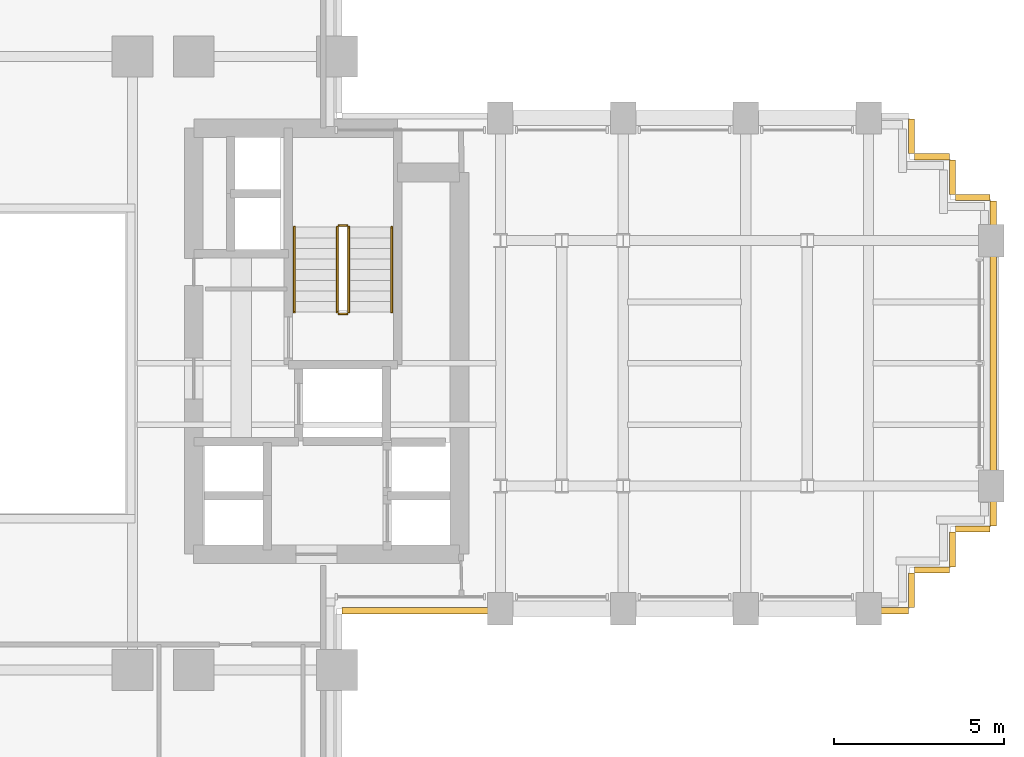
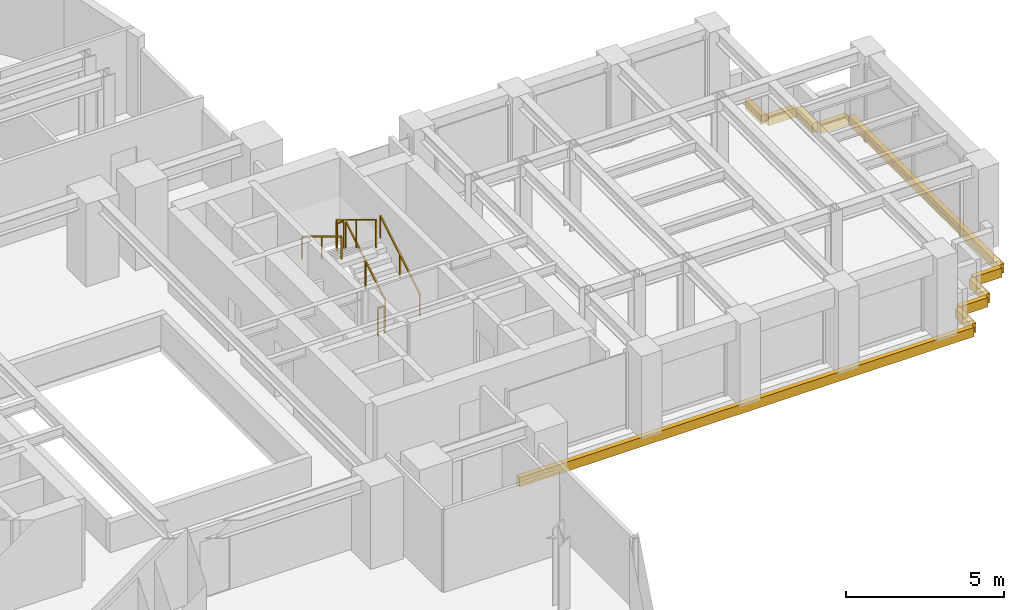
# One storey, part 15 of 16: 10 coverings, 6 railings.
"""IFC4 building model written with IfcOpenShell, lengths in metres."""

from ifc_helpers import new_model, si_unit, direction, frame, origin, origin_2d, place, context, subcontext, project, spatial, rectangle, extrude, source, transform, mapped, material, layer, layer_set, type_object, element, save


model = new_model("IFC4")

# Units and contexts
model_context = context("Model", 3, precision=1e-05, world=origin(), true_north=direction((0.0, 1.0)))
body_context = subcontext(model_context, "Body", "Model", "MODEL_VIEW")
ifc_project = project(units=[si_unit("LENGTHUNIT", "METRE"), si_unit("AREAUNIT", "SQUARE_METRE"), si_unit("VOLUMEUNIT", "CUBIC_METRE"), si_unit("PLANEANGLEUNIT", "RADIAN"), si_unit("MASSUNIT", "GRAM", prefix="KILO")], contexts=[model_context])

# Site, building, storey
site_placement = place(None, origin())
site = spatial("IfcSite", under=ifc_project, at=site_placement, CompositionType="ELEMENT")
building_placement = place(site_placement, origin())
building = spatial("IfcBuilding", under=site, at=building_placement, Name="Keilestroom Media Tower", CompositionType="ELEMENT")
storey_placement = place(building_placement, frame((0.0, 0.0, 68.0)))
storey = spatial("IfcBuildingStorey", under=building, at=storey_placement, Name="L17", CompositionType="ELEMENT", Elevation=68.0)

# Railings
ifc_material_1 = material(Name="Brushed Stainless Steel 1.4301", Category="steel")
railing_type_1 = type_object("IfcRailingType", Name="Stair-Pitch-Handrail-920", PredefinedType="HANDRAIL", material=ifc_material_1)
railing_1_placement = place(storey_placement, frame((11.2099609375, 1.5, 0.18896484375)))
element("IfcRailing", 1, at=railing_1_placement, inside=storey, type_object=railing_type_1, Name="L17 ST-2 stair handrail 1", PredefinedType="HANDRAIL", context=body_context, shape_type="SweptSolid", body=[
    extrude(rectangle(XDim=0.048095703125, YDim=0.048095703125, at=origin_2d()), frame((0.0, 0.0, 0.8759765625), z_axis=(0.0, 0.855470815493, 0.517851024754), x_axis=(-1.0, 0.0, 0.0)), (0.0, 0.0, 1.0), 2.917724609375),
    extrude(rectangle(XDim=0.0419921875, YDim=0.0419921875, at=origin_2d()), origin(), (0.0, 0.0, 1.0), 0.84375),
    extrude(rectangle(XDim=0.0419921875, YDim=0.0419921875, at=origin_2d()), frame((0.0, 1.248046875, 0.75537109375)), (0.0, 0.0, 1.0), 0.84375),
    extrude(rectangle(XDim=0.0419921875, YDim=0.0419921875, at=origin_2d()), frame((0.0, 2.49609375, 1.510986328125)), (0.0, 0.0, 1.0), 0.84375),
])
railing_2_placement = place(storey_placement, frame((8.35009765625, 3.99609375, 1.888916015625)))
element("IfcRailing", 2, at=railing_2_placement, inside=storey, type_object=railing_type_1, Name="L17 ST-2 stair handrail 2", PredefinedType="HANDRAIL", context=body_context, shape_type="SweptSolid", body=[
    extrude(rectangle(XDim=0.048095703125, YDim=0.048095703125, at=origin_2d()), frame((0.0, 0.0, 0.8759765625), z_axis=(0.0, -0.855470815493, 0.517851024754), x_axis=(1.0, 0.0, 0.0)), (0.0, 0.0, 1.0), 2.917724609375),
    extrude(rectangle(XDim=0.0419921875, YDim=0.0419921875, at=origin_2d()), origin(), (0.0, 0.0, 1.0), 0.84375),
    extrude(rectangle(XDim=0.0419921875, YDim=0.0419921875, at=origin_2d()), frame((0.0, -1.248046875, 0.75537109375)), (0.0, 0.0, 1.0), 0.84375),
    extrude(rectangle(XDim=0.0419921875, YDim=0.0419921875, at=origin_2d()), frame((0.0, -2.49609375, 1.510986328125)), (0.0, 0.0, 1.0), 0.84375),
])
ifc_material_2 = material(Name="Painted Steel Balustrade", Category="steel")
railing_type_2 = type_object("IfcRailingType", Name="Stair-Well-And-Landing-Guard-1100", PredefinedType="GUARDRAIL", material=ifc_material_2)
railing_3_placement = place(storey_placement, frame((9.949951171875, 1.5, 0.18896484375)))
element("IfcRailing", 3, at=railing_3_placement, inside=storey, type_object=railing_type_2, Name="L17 ST-2 stair guard 1", PredefinedType="GUARDRAIL", context=body_context, shape_type="SweptSolid", body=[
    extrude(rectangle(XDim=0.048095703125, YDim=0.048095703125, at=origin_2d()), frame((0.0, 0.0, 1.076171875), z_axis=(0.0, 0.855470815493, 0.517851024754), x_axis=(-1.0, 0.0, 0.0)), (0.0, 0.0, 1.0), 2.917724609375),
    extrude(rectangle(XDim=0.0419921875, YDim=0.0419921875, at=origin_2d()), origin(), (0.0, 0.0, 1.0), 1.0439453125),
    extrude(rectangle(XDim=0.0419921875, YDim=0.0419921875, at=origin_2d()), frame((0.0, 1.248046875, 0.75537109375)), (0.0, 0.0, 1.0), 1.0439453125),
    extrude(rectangle(XDim=0.0419921875, YDim=0.0419921875, at=origin_2d()), frame((0.0, 2.49609375, 1.510986328125)), (0.0, 0.0, 1.0), 1.0439453125),
])
railing_4_placement = place(storey_placement, frame((9.89990234375, 4.0458984375, 1.699951171875)))
element("IfcRailing", 4, at=railing_4_placement, inside=storey, type_object=railing_type_2, Name="L17 ST-2 stair guard 2", PredefinedType="GUARDRAIL", context=body_context, shape_type="SweptSolid", body=[
    extrude(rectangle(XDim=0.048095703125, YDim=0.048095703125, at=origin_2d()), frame((0.0, 0.0, 1.076171875), z_axis=(-1.0, 0.0, 0.0), x_axis=(0.0, -1.0, 0.0)), (0.0, 0.0, 1.0), 0.239990234375),
    extrude(rectangle(XDim=0.0419921875, YDim=0.0419921875, at=origin_2d()), origin(), (0.0, 0.0, 1.0), 1.0439453125),
    extrude(rectangle(XDim=0.0419921875, YDim=0.0419921875, at=origin_2d()), frame((-0.239990234375, 0.0, 0.0)), (0.0, 0.0, 1.0), 1.0439453125),
])
railing_5_placement = place(storey_placement, frame((9.610107421875, 3.99609375, 1.888916015625)))
element("IfcRailing", 5, at=railing_5_placement, inside=storey, type_object=railing_type_2, Name="L17 ST-2 stair guard 3", PredefinedType="GUARDRAIL", context=body_context, shape_type="SweptSolid", body=[
    extrude(rectangle(XDim=0.048095703125, YDim=0.048095703125, at=origin_2d()), frame((0.0, 0.0, 1.076171875), z_axis=(0.0, -0.855470815493, 0.517851024754), x_axis=(1.0, 0.0, 0.0)), (0.0, 0.0, 1.0), 2.917724609375),
    extrude(rectangle(XDim=0.0419921875, YDim=0.0419921875, at=origin_2d()), origin(), (0.0, 0.0, 1.0), 1.0439453125),
    extrude(rectangle(XDim=0.0419921875, YDim=0.0419921875, at=origin_2d()), frame((0.0, -1.248046875, 0.75537109375)), (0.0, 0.0, 1.0), 1.0439453125),
    extrude(rectangle(XDim=0.0419921875, YDim=0.0419921875, at=origin_2d()), frame((0.0, -2.49609375, 1.510986328125)), (0.0, 0.0, 1.0), 1.0439453125),
])
railing_6_placement = place(storey_placement, frame((9.89990234375, 1.449951171875, 0.0)))
element("IfcRailing", 6, at=railing_6_placement, inside=storey, type_object=railing_type_2, Name="L17 ST-2 stair guard 4", PredefinedType="GUARDRAIL", context=body_context, shape_type="SweptSolid", body=[
    extrude(rectangle(XDim=0.048095703125, YDim=0.048095703125, at=origin_2d()), frame((0.0, 0.0, 1.076171875), z_axis=(-1.0, 0.0, 0.0), x_axis=(0.0, -1.0, 0.0)), (0.0, 0.0, 1.0), 0.239990234375),
    extrude(rectangle(XDim=0.0419921875, YDim=0.0419921875, at=origin_2d()), origin(), (0.0, 0.0, 1.0), 1.0439453125),
    extrude(rectangle(XDim=0.0419921875, YDim=0.0419921875, at=origin_2d()), frame((-0.239990234375, 0.0, 0.0)), (0.0, 0.0, 1.0), 1.0439453125),
])

# Coverings
ifc_material_3 = material(Name="Precast concrete C40/50", Category="concrete")
ifc_layer = layer(ifc_material_3, 0.1201171875)
ifc_layer_set = layer_set([ifc_layer], Name="Precast concrete C40/50")
covering_type = type_object("IfcCoveringType", Name="Exterior-Precast-Spandrel-Cladding-Panel-120", PredefinedType="CLADDING", material=ifc_layer_set)
shared_shape_1 = source(origin(), body_context, "Body", "SweptSolid", [
    extrude(rectangle(XDim=1.02001953125, YDim=0.179931640625, at=origin_2d()), origin(), (0.0, 0.0, 1.0), 0.360107421875),
])
for number, where, z_axis, x_axis, name in (
    (7, (28.260009765625, -4.860107421875, -0.5400390625), (0.0, 0.0, 1.0), (-1.0, 0.0, 0.0), "L17 Precast Slab-Edge Fascia Cornice 01"),
    (8, (27.659912109375, -5.4599609375, -0.5400390625), (0.0, 0.0, 1.0), (0.0, -1.0, 0.0), "L17 Precast Slab-Edge Fascia Cornice 02"),
    (9, (27.06005859375, -6.06005859375, -0.5400390625), (0.0, 0.0, 1.0), (-1.0, 0.0, 0.0), "L17 Precast Slab-Edge Fascia Cornice 03"),
    (10, (26.4599609375, -6.659912109375, -0.5400390625), (0.0, 0.0, 1.0), (0.0, -1.0, 0.0), "L17 Precast Slab-Edge Fascia Cornice 04"),
    (11, (26.4599609375, 6.659912109375, -0.5400390625), (0.0, 0.0, 1.0), (0.0, -1.0, 0.0), "L17 Precast Slab-Edge Fascia Cornice 38"),
    (12, (27.06005859375, 6.06005859375, -0.5400390625), (0.0, 0.0, 1.0), (1.0, 0.0, 0.0), "L17 Precast Slab-Edge Fascia Cornice 39"),
    (13, (27.659912109375, 5.4599609375, -0.5400390625), (0.0, 0.0, 1.0), (0.0, -1.0, 0.0), "L17 Precast Slab-Edge Fascia Cornice 40"),
    (14, (28.260009765625, 4.860107421875, -0.5400390625), (0.0, 0.0, 1.0), (1.0, 0.0, 0.0), "L17 Precast Slab-Edge Fascia Cornice 41"),
):
    element("IfcCovering", number, at=place(storey_placement, frame(where, z_axis=z_axis, x_axis=x_axis)), inside=storey, type_object=covering_type, Name=name, PredefinedType="CLADDING", context=body_context, shape_type="MappedRepresentation", body=[
        mapped(shared_shape_1, transform((0.0, 0.0, 0.0), x_axis=(1.0, 0.0, 0.0), y_axis=(0.0, 1.0, 0.0), z_axis=(0.0, 0.0, 1.0), scale=1.0)),
    ])
shared_shape_2 = source(origin(), body_context, "Body", "SweptSolid", [
    extrude(rectangle(XDim=16.6201171875, YDim=0.179931640625, at=origin_2d()), origin(), (0.0, 0.0, 1.0), 0.360107421875),
])
covering_1_placement = place(storey_placement, frame((18.06005859375, -7.260009765625, -0.5400390625), z_axis=(0.0, 0.0, 1.0), x_axis=(-1.0, 0.0, 0.0)))
element("IfcCovering", 15, at=covering_1_placement, inside=storey, type_object=covering_type, Name="L17 Precast Slab-Edge Fascia Cornice 05", PredefinedType="CLADDING", context=body_context, shape_type="MappedRepresentation", body=[
    mapped(shared_shape_2, transform((0.0, 0.0, 0.0), x_axis=(1.0, 0.0, 0.0), y_axis=(0.0, 1.0, 0.0), z_axis=(0.0, 0.0, 1.0), scale=1.0)),
])
shared_shape_3 = source(origin(), body_context, "Body", "SweptSolid", [
    extrude(rectangle(XDim=9.5400390625, YDim=0.179931640625, at=origin_2d()), origin(), (0.0, 0.0, 1.0), 0.360107421875),
])
covering_2_placement = place(storey_placement, frame((28.860107421875, 0.0, -0.5400390625), z_axis=(0.0, 0.0, 1.0), x_axis=(0.0, -1.0, 0.0)))
element("IfcCovering", 16, at=covering_2_placement, inside=storey, type_object=covering_type, Name="L17 Precast Slab-Edge Fascia Cornice 42", PredefinedType="CLADDING", context=body_context, shape_type="MappedRepresentation", body=[
    mapped(shared_shape_3, transform((0.0, 0.0, 0.0), x_axis=(1.0, 0.0, 0.0), y_axis=(0.0, 1.0, 0.0), z_axis=(0.0, 0.0, 1.0), scale=1.0)),
])

save(model, "model.ifc")
